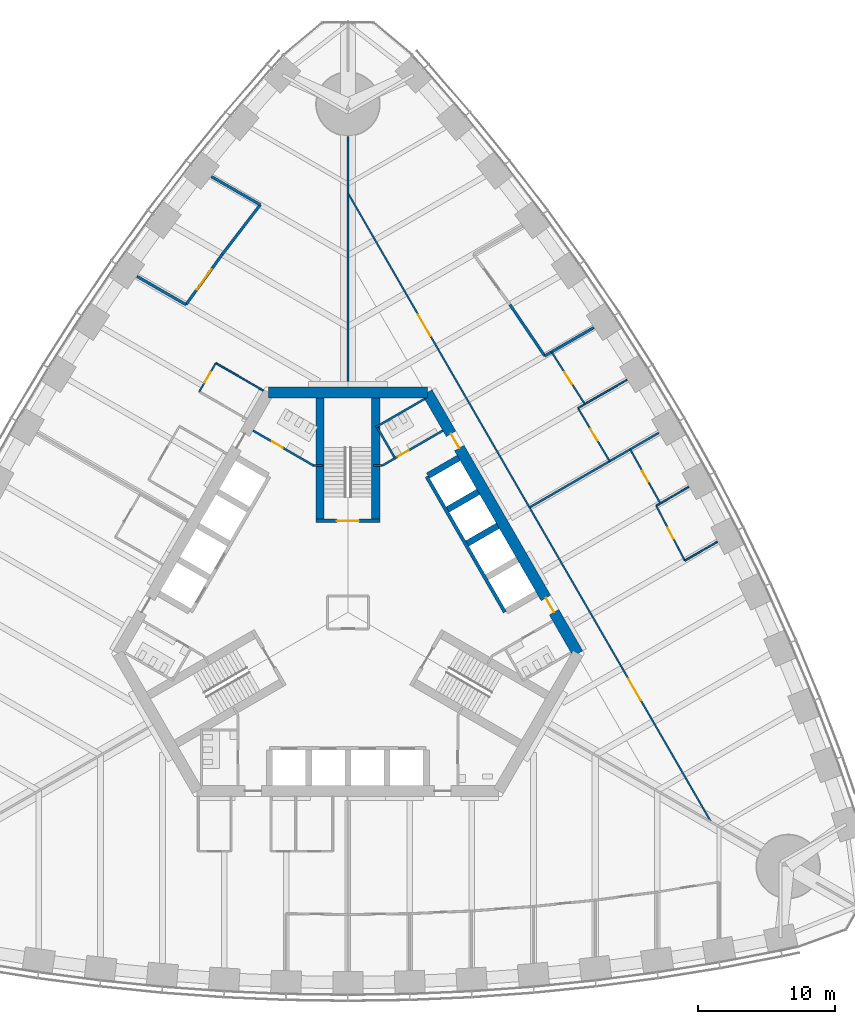
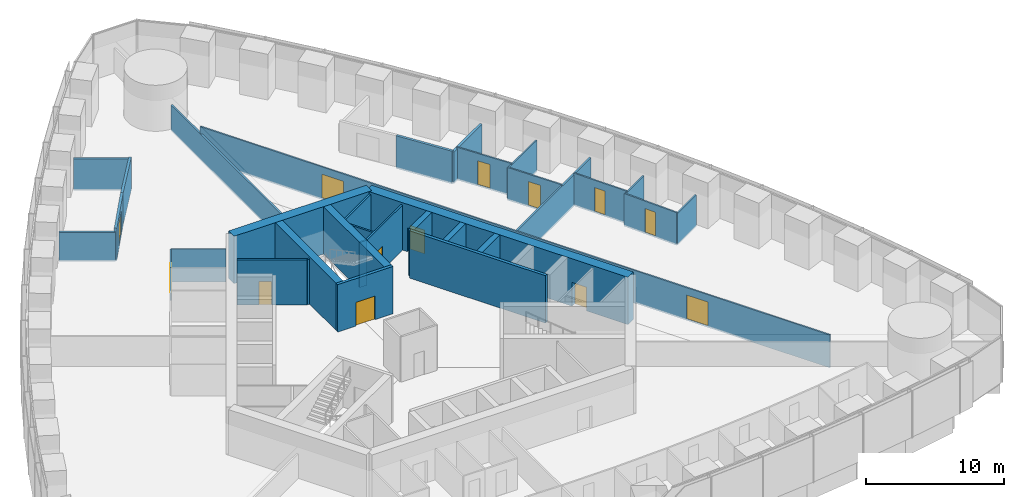
# One storey, part 12 of 18: 33 walls, 13 doors, 13 openings.
"""IFC4 building model written with IfcOpenShell, lengths in metres."""

from ifc_helpers import new_model, si_unit, direction, frame, frame_2d, origin, place, context, subcontext, project, spatial, rectangle, extrude, material, layer, layer_set, type_object, element, fill, save


model = new_model("IFC4")

# Units and contexts
model_context = context("Model", 3, precision=1e-05, world=origin(), true_north=direction((0.0, 1.0)))
body_context = subcontext(model_context, "Body", "Model", "MODEL_VIEW")
ifc_project = project(units=[si_unit("LENGTHUNIT", "METRE"), si_unit("AREAUNIT", "SQUARE_METRE"), si_unit("VOLUMEUNIT", "CUBIC_METRE"), si_unit("PLANEANGLEUNIT", "RADIAN"), si_unit("MASSUNIT", "GRAM", prefix="KILO")], contexts=[model_context])

# Site, building, storey
site_placement = place(None, origin())
site = spatial("IfcSite", under=ifc_project, at=site_placement, CompositionType="ELEMENT")
building_placement = place(site_placement, origin())
building = spatial("IfcBuilding", under=site, at=building_placement, Name="Trefoil Bronze Tower", CompositionType="ELEMENT")
storey_placement = place(building_placement, frame((0.0, 0.0, 66.89990234375)))
storey = spatial("IfcBuildingStorey", under=building, at=storey_placement, Name="L15", CompositionType="ELEMENT", Elevation=66.89990234375)

# Walls
ifc_material_1 = material(Name="Gypsum board on steel studs", Category="steel")
ifc_layer_1 = layer(ifc_material_1, 0.199951171875)
ifc_layer_set_1 = layer_set([ifc_layer_1], Name="Acoustic partition 200")
wall_type_1 = type_object("IfcWallType", Name="Acoustic partition 200", PredefinedType="PARTITIONING", material=ifc_layer_set_1)
wall_1_placement = place(storey_placement, frame((14.3251953125, 18.662841796875, 0.0), z_axis=(0.0, 0.0, 1.0), x_axis=(-0.561512004239, 0.827468591002, 0.0)))
element("IfcWall", 1, at=wall_1_placement, inside=storey, type_object=wall_type_1, Name="Partition F2 L15", PredefinedType="PARTITIONING", context=body_context, shape_type="SweptSolid", body=[
    extrude(rectangle(XDim=4.51171875, YDim=0.199951171875, at=frame_2d((2.255859375, 0.0))), origin(), (0.0, 0.0, 1.0), 2.900146484375),
])
wall_2_placement = place(storey_placement, frame((14.3251953125, 18.662841796875, 0.0), z_axis=(0.0, 0.0, 1.0), x_axis=(0.866030556495, 0.499991075137, 0.0)))
element("IfcWall", 2, at=wall_2_placement, inside=storey, type_object=wall_type_1, Name="Partition F2 L15", PredefinedType="PARTITIONING", context=body_context, shape_type="SweptSolid", body=[
    extrude(rectangle(XDim=4.1171875, YDim=0.199951171875, at=frame_2d((2.05859375, 0.0))), origin(), (0.0, 0.0, 1.0), 2.800048828125),
])

# Wall, opening, door
wall_3_placement = place(storey_placement, frame((-9.143798828125, 26.063720703125, 0.0), z_axis=(0.0, 0.0, 1.0), x_axis=(-0.585376255171, -0.810761765183, 0.0)))
wall_3 = element("IfcWall", 3, at=wall_3_placement, inside=storey, type_object=wall_type_1, Name="Partition F3 L15", PredefinedType="PARTITIONING", context=body_context, shape_type="SweptSolid", body=[
    extrude(rectangle(XDim=4.5234375, YDim=0.199951171875, at=frame_2d((2.26171875, 0.0))), origin(), (0.0, 0.0, 1.0), 2.900146484375),
])
opening_1_placement = place(wall_3_placement, frame((1.35009765625, 0.0, 0.14990234375)))
opening_1 = element("IfcOpeningElement", 4, at=opening_1_placement, cuts=wall_3, Name="Opening D10", PredefinedType="OPENING", context=body_context, shape_type="SweptSolid", body=[
    extrude(rectangle(XDim=1.800048828125, YDim=2.10009765625, at=frame_2d((0.89990234375, 1.050048828125))), frame((0.0, 0.10986328125, 0.0), z_axis=(0.0, -1.0, 0.0), x_axis=(1.0, 0.0, 0.0)), (0.0, 0.0, 1.0), 0.219970703125),
])
ifc_material_2 = material(Name="Timber door", Category="wood")
door_type_1 = type_object("IfcDoorType", Name="Double door 1800", OperationType="DOUBLE_DOOR_SINGLE_SWING", PredefinedType="DOOR", material=ifc_material_2)
door_1_placement = place(opening_1_placement, frame((1.800048828125, 0.0, 0.0), z_axis=(0.0, 0.0, 1.0), x_axis=(-1.0, 0.0, 0.0)))
door_1 = element("IfcDoor", 5, at=door_1_placement, inside=storey, type_object=door_type_1, Name="Training room door F3 L15", OperationType="DOUBLE_DOOR_SINGLE_SWING", OverallHeight=2.10009765625, OverallWidth=1.800048828125, PredefinedType="DOOR", context=body_context, shape_type="SweptSolid", body=[
    extrude(rectangle(XDim=1.800048828125, YDim=2.10009765625, at=frame_2d((0.89990234375, 1.050048828125))), frame((0.0, 0.02490234375, 0.0), z_axis=(0.0, -1.0, 0.0), x_axis=(1.0, 0.0, 0.0)), (0.0, 0.0, 1.0), 0.050048828125),
])
fill(opening_1, door_1)

# Walls
wall_4_placement = place(storey_placement, frame((-6.38037109375, 29.66455078125, 0.0), z_axis=(0.0, 0.0, 1.0), x_axis=(-0.608818785139, -0.79330932609, 0.0)))
element("IfcWall", 6, at=wall_4_placement, inside=storey, type_object=wall_type_1, Name="Partition F3 L15", PredefinedType="PARTITIONING", context=body_context, shape_type="SweptSolid", body=[
    extrude(rectangle(XDim=4.5390625, YDim=0.199951171875, at=frame_2d((2.26953125, 0.0))), origin(), (0.0, 0.0, 1.0), 2.900146484375),
])
wall_5_placement = place(storey_placement, frame((-11.791748046875, 22.396240234375, 0.0), z_axis=(0.0, 0.0, 1.0), x_axis=(-0.865991869213, 0.500058079084, 0.0)))
element("IfcWall", 7, at=wall_5_placement, inside=storey, type_object=wall_type_1, Name="Partition F3 L15", PredefinedType="PARTITIONING", context=body_context, shape_type="SweptSolid", body=[
    extrude(rectangle(XDim=4.11376953125, YDim=0.199951171875, at=frame_2d((2.056884765625, 0.0))), origin(), (0.0, 0.0, 1.0), 2.60009765625),
])
wall_6_placement = place(storey_placement, frame((-6.38037109375, 29.66455078125, 0.0), z_axis=(0.0, 0.0, 1.0), x_axis=(-0.866044878051, 0.499966268063, 0.0)))
element("IfcWall", 8, at=wall_6_placement, inside=storey, type_object=wall_type_1, Name="Partition F3 L15", PredefinedType="PARTITIONING", context=body_context, shape_type="SweptSolid", body=[
    extrude(rectangle(XDim=4.102783203125, YDim=0.199951171875, at=frame_2d((2.05126953125, 0.0))), origin(), (0.0, 0.0, 1.0), 2.800048828125),
])

# Wall, openings, doors
ifc_material_3 = material(Name="Concrete B80", Category="concrete")
ifc_layer_2 = layer(ifc_material_3, 0.800048828125)
ifc_layer_set_2 = layer_set([ifc_layer_2], Name="Core wall 800")
wall_type_2 = type_object("IfcWallType", Name="Core wall 800", PredefinedType="SHEAR", material=ifc_layer_set_2)
wall_7_placement = place(storey_placement, frame((16.7431640625, -3.0, 0.0), z_axis=(0.0, 0.0, 1.0), x_axis=(-0.500002442456, 0.866023993627, 0.0)))
wall_7 = element("IfcWall", 9, at=wall_7_placement, inside=storey, type_object=wall_type_2, Name="Core long wall 2 L15", PredefinedType="SHEAR", context=body_context, shape_type="SweptSolid", body=[
    extrude(rectangle(XDim=21.939453125, YDim=0.800048828125, at=frame_2d((10.9697265625, 0.0))), origin(), (0.0, 0.0, 1.0), 4.2001953125),
])
opening_2_placement = place(wall_7_placement, frame((17.269775390625, 0.0, 0.0)))
opening_2 = element("IfcOpeningElement", 10, at=opening_2_placement, cuts=wall_7, Name="Opening D2", PredefinedType="OPENING", context=body_context, shape_type="SweptSolid", body=[
    extrude(rectangle(XDim=1.199951171875, YDim=2.10009765625, at=frame_2d((0.60009765625, 1.050048828125))), frame((0.0, 0.409912109375, 0.0), z_axis=(0.0, -1.0, 0.0), x_axis=(1.0, 0.0, 0.0)), (0.0, 0.0, 1.0), 0.820068359375),
])
opening_3_placement = place(wall_7_placement, frame((3.4697265625, 0.0, 0.0)))
opening_3 = element("IfcOpeningElement", 11, at=opening_3_placement, cuts=wall_7, Name="Opening D2", PredefinedType="OPENING", context=body_context, shape_type="SweptSolid", body=[
    extrude(rectangle(XDim=1.199951171875, YDim=2.10009765625, at=frame_2d((0.60009765625, 1.050048828125))), frame((0.0, 0.409912109375, 0.0), z_axis=(0.0, -1.0, 0.0), x_axis=(1.0, 0.0, 0.0)), (0.0, 0.0, 1.0), 0.820068359375),
])
ifc_material_4 = material(Name="Steel door", Category="steel")
door_type_2 = type_object("IfcDoorType", Name="Lobby door 1200", OperationType="SINGLE_SWING_RIGHT", PredefinedType="DOOR", material=ifc_material_4)
door_2_placement = place(opening_2_placement, origin())
door_2 = element("IfcDoor", 12, at=door_2_placement, inside=storey, type_object=door_type_2, Name="Lobby door F2+ L15", OperationType="SINGLE_SWING_RIGHT", OverallHeight=2.10009765625, OverallWidth=1.199951171875, PredefinedType="DOOR", context=body_context, shape_type="SweptSolid", body=[
    extrude(rectangle(XDim=1.199951171875, YDim=2.10009765625, at=frame_2d((0.60009765625, 1.050048828125))), frame((0.0, 0.02490234375, 0.0), z_axis=(0.0, -1.0, 0.0), x_axis=(1.0, 0.0, 0.0)), (0.0, 0.0, 1.0), 0.050048828125),
])
fill(opening_2, door_2)
door_3_placement = place(opening_3_placement, origin())
door_3 = element("IfcDoor", 13, at=door_3_placement, inside=storey, type_object=door_type_2, Name="Lobby door F2- L15", OperationType="SINGLE_SWING_LEFT", OverallHeight=2.10009765625, OverallWidth=1.199951171875, PredefinedType="DOOR", context=body_context, shape_type="SweptSolid", body=[
    extrude(rectangle(XDim=1.199951171875, YDim=2.10009765625, at=frame_2d((0.60009765625, 1.050048828125))), frame((0.0, 0.02490234375, 0.0), z_axis=(0.0, -1.0, 0.0), x_axis=(1.0, 0.0, 0.0)), (0.0, 0.0, 1.0), 0.050048828125),
])
fill(opening_3, door_3)

# Wall
wall_8_placement = place(storey_placement, frame((5.7734375, 16.0, 0.0), z_axis=(0.0, 0.0, 1.0), x_axis=(-1.0, 0.0, 0.0)))
element("IfcWall", 14, at=wall_8_placement, inside=storey, type_object=wall_type_2, Name="Core short wall 2 L15", PredefinedType="SHEAR", context=body_context, shape_type="SweptSolid", body=[
    extrude(rectangle(XDim=11.546875, YDim=0.800048828125, at=frame_2d((5.7734375, 0.0))), origin(), (0.0, 0.0, 1.0), 4.2001953125),
])

# Wall, openings, doors
ifc_material_5 = material(Name="Glazed partition", Category="glass")
ifc_layer_3 = layer(ifc_material_5, 0.1201171875)
ifc_layer_set_3 = layer_set([ifc_layer_3], Name="Glazed partition 120")
wall_type_3 = type_object("IfcWallType", Name="Glazed partition 120", PredefinedType="PARTITIONING", material=ifc_layer_set_3)
wall_9_placement = place(storey_placement, frame((26.41455078125, -15.2314453125, 0.0), z_axis=(0.0, 0.0, 1.0), x_axis=(-0.50000091641, 0.866024874695, 0.0)))
wall_9 = element("IfcWall", 15, at=wall_9_placement, inside=storey, type_object=wall_type_3, Name="Partition F2 L15", PredefinedType="PARTITIONING", context=body_context, shape_type="SweptSolid", body=[
    extrude(rectangle(XDim=52.79638671875, YDim=0.1201171875, at=frame_2d((26.398193359375, 0.0))), origin(), (0.0, 0.0, 1.0), 2.900146484375),
])
opening_4_placement = place(wall_9_placement, frame((10.199951171875, 0.0, 0.14990234375)))
opening_4 = element("IfcOpeningElement", 16, at=opening_4_placement, cuts=wall_9, Name="Opening D10", PredefinedType="OPENING", context=body_context, shape_type="SweptSolid", body=[
    extrude(rectangle(XDim=1.800048828125, YDim=2.10009765625, at=frame_2d((0.89990234375, 1.050048828125))), frame((0.0, 0.070068359375, 0.0), z_axis=(0.0, -1.0, 0.0), x_axis=(1.0, 0.0, 0.0)), (0.0, 0.0, 1.0), 0.14013671875),
])
opening_5_placement = place(wall_9_placement, frame((40.800048828125, 0.0, 0.14990234375)))
opening_5 = element("IfcOpeningElement", 17, at=opening_5_placement, cuts=wall_9, Name="Opening D10", PredefinedType="OPENING", context=body_context, shape_type="SweptSolid", body=[
    extrude(rectangle(XDim=1.800048828125, YDim=2.10009765625, at=frame_2d((0.89990234375, 1.050048828125))), frame((0.0, 0.070068359375, 0.0), z_axis=(0.0, -1.0, 0.0), x_axis=(1.0, 0.0, 0.0)), (0.0, 0.0, 1.0), 0.14013671875),
])
door_4_placement = place(opening_4_placement, origin())
door_4 = element("IfcDoor", 18, at=door_4_placement, inside=storey, type_object=door_type_1, Name="Corridor door F2 L15", OperationType="DOUBLE_DOOR_SINGLE_SWING", OverallHeight=2.10009765625, OverallWidth=1.800048828125, PredefinedType="DOOR", context=body_context, shape_type="SweptSolid", body=[
    extrude(rectangle(XDim=1.800048828125, YDim=2.10009765625, at=frame_2d((0.89990234375, 1.050048828125))), frame((0.0, 0.02490234375, 0.0), z_axis=(0.0, -1.0, 0.0), x_axis=(1.0, 0.0, 0.0)), (0.0, 0.0, 1.0), 0.050048828125),
])
fill(opening_4, door_4)
door_5_placement = place(opening_5_placement, origin())
door_5 = element("IfcDoor", 19, at=door_5_placement, inside=storey, type_object=door_type_1, Name="Corridor door F2 L15", OperationType="DOUBLE_DOOR_SINGLE_SWING", OverallHeight=2.10009765625, OverallWidth=1.800048828125, PredefinedType="DOOR", context=body_context, shape_type="SweptSolid", body=[
    extrude(rectangle(XDim=1.800048828125, YDim=2.10009765625, at=frame_2d((0.89990234375, 1.050048828125))), frame((0.0, 0.02490234375, 0.0), z_axis=(0.0, -1.0, 0.0), x_axis=(1.0, 0.0, 0.0)), (0.0, 0.0, 1.0), 0.050048828125),
])
fill(opening_5, door_5)

# Wall, opening, door
wall_10_placement = place(storey_placement, frame((19.051513671875, 10.999267578125, 0.0), z_axis=(0.0, 0.0, 1.0), x_axis=(-0.51252396108, 0.858672923364, 0.0)))
wall_10 = element("IfcWall", 20, at=wall_10_placement, inside=storey, type_object=wall_type_3, Name="Partition F2 L15", PredefinedType="PARTITIONING", context=body_context, shape_type="SweptSolid", body=[
    extrude(rectangle(XDim=4.50048828125, YDim=0.1201171875, at=frame_2d((2.250244140625, 0.0))), origin(), (0.0, 0.0, 1.0), 2.900146484375),
])
opening_6_placement = place(wall_10_placement, frame((1.75, 0.0, 0.14990234375)))
opening_6 = element("IfcOpeningElement", 21, at=opening_6_placement, cuts=wall_10, Name="Opening D9", PredefinedType="OPENING", context=body_context, shape_type="SweptSolid", body=[
    extrude(rectangle(XDim=1.0, YDim=2.10009765625, at=frame_2d((0.5, 1.050048828125))), frame((0.0, 0.070068359375, 0.0), z_axis=(0.0, -1.0, 0.0), x_axis=(1.0, 0.0, 0.0)), (0.0, 0.0, 1.0), 0.14013671875),
])
ifc_material_6 = material(Name="Glazed timber door", Category="wood")
door_type_3 = type_object("IfcDoorType", Name="Meeting room door 1000", OperationType="SINGLE_SWING_LEFT", PredefinedType="DOOR", material=ifc_material_6)
door_6_placement = place(opening_6_placement, frame((1.0, 0.0, 0.0), z_axis=(0.0, 0.0, 1.0), x_axis=(-1.0, 0.0, 0.0)))
door_6 = element("IfcDoor", 22, at=door_6_placement, inside=storey, type_object=door_type_3, Name="Meeting room door F2 L15", OperationType="SINGLE_SWING_RIGHT", OverallHeight=2.10009765625, OverallWidth=1.0, PredefinedType="DOOR", context=body_context, shape_type="SweptSolid", body=[
    extrude(rectangle(XDim=1.0, YDim=2.10009765625, at=frame_2d((0.5, 1.050048828125))), frame((0.0, 0.02490234375, 0.0), z_axis=(0.0, -1.0, 0.0), x_axis=(1.0, 0.0, 0.0)), (0.0, 0.0, 1.0), 0.050048828125),
])
fill(opening_6, door_6)

wall_11_placement = place(storey_placement, frame((17.242919921875, 15.1513671875, 0.0), z_axis=(0.0, 0.0, 1.0), x_axis=(-0.537243691336, 0.843427066272, 0.0)))
wall_11 = element("IfcWall", 23, at=wall_11_placement, inside=storey, type_object=wall_type_3, Name="Partition F2 L15", PredefinedType="PARTITIONING", context=body_context, shape_type="SweptSolid", body=[
    extrude(rectangle(XDim=4.50439453125, YDim=0.1201171875, at=frame_2d((2.252197265625, 0.0))), origin(), (0.0, 0.0, 1.0), 2.900146484375),
])
opening_7_placement = place(wall_11_placement, frame((1.75, 0.0, 0.14990234375)))
opening_7 = element("IfcOpeningElement", 24, at=opening_7_placement, cuts=wall_11, Name="Opening D9", PredefinedType="OPENING", context=body_context, shape_type="SweptSolid", body=[
    extrude(rectangle(XDim=1.0, YDim=2.10009765625, at=frame_2d((0.5, 1.050048828125))), frame((0.0, 0.070068359375, 0.0), z_axis=(0.0, -1.0, 0.0), x_axis=(1.0, 0.0, 0.0)), (0.0, 0.0, 1.0), 0.14013671875),
])
door_7_placement = place(opening_7_placement, frame((1.0, 0.0, 0.0), z_axis=(0.0, 0.0, 1.0), x_axis=(-1.0, 0.0, 0.0)))
door_7 = element("IfcDoor", 25, at=door_7_placement, inside=storey, type_object=door_type_3, Name="Project room door F2 L15", OperationType="SINGLE_SWING_RIGHT", OverallHeight=2.10009765625, OverallWidth=1.0, PredefinedType="DOOR", context=body_context, shape_type="SweptSolid", body=[
    extrude(rectangle(XDim=1.0, YDim=2.10009765625, at=frame_2d((0.5, 1.050048828125))), frame((0.0, 0.02490234375, 0.0), z_axis=(0.0, -1.0, 0.0), x_axis=(1.0, 0.0, 0.0)), (0.0, 0.0, 1.0), 0.050048828125),
])
fill(opening_7, door_7)

wall_12_placement = place(storey_placement, frame((22.73876953125, 7.93212890625, 0.0), z_axis=(0.0, 0.0, 1.0), x_axis=(-0.487373854787, 0.873193406795, 0.0)))
wall_12 = element("IfcWall", 26, at=wall_12_placement, inside=storey, type_object=wall_type_3, Name="Partition F2 L15", PredefinedType="PARTITIONING", context=body_context, shape_type="SweptSolid", body=[
    extrude(rectangle(XDim=4.500244140625, YDim=0.1201171875, at=frame_2d((2.25, 0.0))), origin(), (0.0, 0.0, 1.0), 2.900146484375),
])
opening_8_placement = place(wall_12_placement, frame((1.800048828125, 0.0, 0.14990234375)))
opening_8 = element("IfcOpeningElement", 27, at=opening_8_placement, cuts=wall_12, Name="Opening D8", PredefinedType="OPENING", context=body_context, shape_type="SweptSolid", body=[
    extrude(rectangle(XDim=0.89990234375, YDim=2.10009765625, at=frame_2d((0.449951171875, 1.050048828125))), frame((0.0, 0.070068359375, 0.0), z_axis=(0.0, -1.0, 0.0), x_axis=(1.0, 0.0, 0.0)), (0.0, 0.0, 1.0), 0.14013671875),
])
ifc_material_7 = material(Name="Timber door", Category="wood")
door_type_4 = type_object("IfcDoorType", Name="Office door 900", OperationType="SINGLE_SWING_LEFT", PredefinedType="DOOR", material=ifc_material_7)
door_8_placement = place(opening_8_placement, frame((0.89990234375, 0.0, 0.0), z_axis=(0.0, 0.0, 1.0), x_axis=(-1.0, 0.0, 0.0)))
door_8 = element("IfcDoor", 28, at=door_8_placement, inside=storey, type_object=door_type_4, Name="Focus room door F2 L15", OperationType="SINGLE_SWING_RIGHT", OverallHeight=2.10009765625, OverallWidth=0.89990234375, PredefinedType="DOOR", context=body_context, shape_type="SweptSolid", body=[
    extrude(rectangle(XDim=0.89990234375, YDim=2.10009765625, at=frame_2d((0.449951171875, 1.050048828125))), frame((0.0, 0.02490234375, 0.0), z_axis=(0.0, -1.0, 0.0), x_axis=(1.0, 0.0, 0.0)), (0.0, 0.0, 1.0), 0.050048828125),
])
fill(opening_8, door_8)

wall_13_placement = place(storey_placement, frame((24.520263671875, 3.764404296875, 0.0), z_axis=(0.0, 0.0, 1.0), x_axis=(-0.461852697957, 0.886956642339, 0.0)))
wall_13 = element("IfcWall", 29, at=wall_13_placement, inside=storey, type_object=wall_type_3, Name="Partition F2 L15", PredefinedType="PARTITIONING", context=body_context, shape_type="SweptSolid", body=[
    extrude(rectangle(XDim=4.50439453125, YDim=0.1201171875, at=frame_2d((2.252197265625, 0.0))), origin(), (0.0, 0.0, 1.0), 2.900146484375),
])
opening_9_placement = place(wall_13_placement, frame((1.800048828125, 0.0, 0.14990234375)))
opening_9 = element("IfcOpeningElement", 30, at=opening_9_placement, cuts=wall_13, Name="Opening D8", PredefinedType="OPENING", context=body_context, shape_type="SweptSolid", body=[
    extrude(rectangle(XDim=0.89990234375, YDim=2.10009765625, at=frame_2d((0.449951171875, 1.050048828125))), frame((0.0, 0.070068359375, 0.0), z_axis=(0.0, -1.0, 0.0), x_axis=(1.0, 0.0, 0.0)), (0.0, 0.0, 1.0), 0.14013671875),
])
door_9_placement = place(opening_9_placement, frame((0.89990234375, 0.0, 0.0), z_axis=(0.0, 0.0, 1.0), x_axis=(-1.0, 0.0, 0.0)))
door_9 = element("IfcDoor", 31, at=door_9_placement, inside=storey, type_object=door_type_4, Name="Pantry door F2 L15", OperationType="SINGLE_SWING_RIGHT", OverallHeight=2.10009765625, OverallWidth=0.89990234375, PredefinedType="DOOR", context=body_context, shape_type="SweptSolid", body=[
    extrude(rectangle(XDim=0.89990234375, YDim=2.10009765625, at=frame_2d((0.449951171875, 1.050048828125))), frame((0.0, 0.02490234375, 0.0), z_axis=(0.0, -1.0, 0.0), x_axis=(1.0, 0.0, 0.0)), (0.0, 0.0, 1.0), 0.050048828125),
])
fill(opening_9, door_9)

# Walls
wall_14_placement = place(storey_placement, frame((16.744873046875, 14.86376953125, 0.0), z_axis=(0.0, 0.0, 1.0), x_axis=(0.8660059538, 0.500033686847, 0.0)))
element("IfcWall", 32, at=wall_14_placement, inside=storey, type_object=wall_type_3, Name="Partition F2 L15", PredefinedType="PARTITIONING", context=body_context, shape_type="SweptSolid", body=[
    extrude(rectangle(XDim=4.119384765625, YDim=0.1201171875, at=frame_2d((2.0595703125, 0.0))), origin(), (0.0, 0.0, 1.0), 2.800048828125),
])
wall_15_placement = place(storey_placement, frame((22.43994140625, 7.759521484375, 0.0), z_axis=(0.0, 0.0, 1.0), x_axis=(0.866029747927, 0.499992475648, 0.0)))
element("IfcWall", 33, at=wall_15_placement, inside=storey, type_object=wall_type_3, Name="Partition F2 L15", PredefinedType="PARTITIONING", context=body_context, shape_type="SweptSolid", body=[
    extrude(rectangle(XDim=2.7392578125, YDim=0.1201171875, at=frame_2d((1.36962890625, 0.0))), origin(), (0.0, 0.0, 1.0), 2.800048828125),
])
wall_16_placement = place(storey_placement, frame((24.520263671875, 3.764404296875, 0.0), z_axis=(0.0, 0.0, 1.0), x_axis=(0.866028150195, 0.499995243048, 0.0)))
element("IfcWall", 34, at=wall_16_placement, inside=storey, type_object=wall_type_3, Name="Partition F2 L15", PredefinedType="PARTITIONING", context=body_context, shape_type="SweptSolid", body=[
    extrude(rectangle(XDim=2.7373046875, YDim=0.1201171875, at=frame_2d((1.36865234375, 0.0))), origin(), (0.0, 0.0, 1.0), 2.800048828125),
])

# Wall, opening, door
wall_17_placement = place(storey_placement, frame((-9.618896484375, 18.1396484375, 0.0), z_axis=(0.0, 0.0, 1.0), x_axis=(-0.500001309137, -0.866024647952, 0.0)))
wall_17 = element("IfcWall", 35, at=wall_17_placement, inside=storey, type_object=wall_type_3, Name="Partition F3 L15", PredefinedType="PARTITIONING", context=body_context, shape_type="SweptSolid", body=[
    extrude(rectangle(XDim=2.39990234375, YDim=0.1201171875, at=frame_2d((1.199951171875, 0.0))), origin(), (0.0, 0.0, 1.0), 2.900146484375),
])
opening_10_placement = place(wall_17_placement, frame((0.75, 0.0, 0.14990234375)))
opening_10 = element("IfcOpeningElement", 36, at=opening_10_placement, cuts=wall_17, Name="Opening D8", PredefinedType="OPENING", context=body_context, shape_type="SweptSolid", body=[
    extrude(rectangle(XDim=0.89990234375, YDim=2.10009765625, at=frame_2d((0.449951171875, 1.050048828125))), frame((0.0, 0.070068359375, 0.0), z_axis=(0.0, -1.0, 0.0), x_axis=(1.0, 0.0, 0.0)), (0.0, 0.0, 1.0), 0.14013671875),
])
door_10_placement = place(opening_10_placement, origin())
door_10 = element("IfcDoor", 37, at=door_10_placement, inside=storey, type_object=door_type_4, Name="Store door F3 L15", OperationType="SINGLE_SWING_RIGHT", OverallHeight=2.10009765625, OverallWidth=0.89990234375, PredefinedType="DOOR", context=body_context, shape_type="SweptSolid", body=[
    extrude(rectangle(XDim=0.89990234375, YDim=2.10009765625, at=frame_2d((0.449951171875, 1.050048828125))), frame((0.0, 0.02490234375, 0.0), z_axis=(0.0, -1.0, 0.0), x_axis=(1.0, 0.0, 0.0)), (0.0, 0.0, 1.0), 0.050048828125),
])
fill(opening_10, door_10)

# Walls
wall_18_placement = place(storey_placement, frame((-6.15478515625, 16.1396484375, 0.0), z_axis=(0.0, 0.0, 1.0), x_axis=(-0.866026010844, 0.49999894854, 0.0)))
element("IfcWall", 38, at=wall_18_placement, inside=storey, type_object=wall_type_3, Name="Partition F3 L15", PredefinedType="PARTITIONING", context=body_context, shape_type="SweptSolid", body=[
    extrude(rectangle(XDim=4.0, YDim=0.1201171875, at=frame_2d((2.0, 0.0))), origin(), (0.0, 0.0, 1.0), 2.900146484375),
])
ifc_material_8 = material(Name="Concrete B80", Category="concrete")
ifc_layer_4 = layer(ifc_material_8, 0.449951171875)
ifc_layer_set_4 = layer_set([ifc_layer_4], Name="Outrigger shaft wall 450")
wall_type_4 = type_object("IfcWallType", Name="Outrigger shaft wall 450", PredefinedType="SHEAR", material=ifc_layer_set_4)
for number, where, z_axis, x_axis, name in (
    (39, (8.681884765625, 5.012451171875, 0.0), (0.0, 0.0, 1.0), (0.866005588531, 0.500034319456, 0.0), "Lift shaft side wall B2 L15"),
    (40, (7.2568359375, 7.480712890625, 0.0), (0.0, 0.0, 1.0), (0.866046643894, 0.499963209246, 0.0), "Lift shaft side wall B3 L15"),
):
    element("IfcWall", number, at=place(storey_placement, frame(where, z_axis=z_axis, x_axis=x_axis)), inside=storey, type_object=wall_type_4, Name=name, PredefinedType="SHEAR", context=body_context, shape_type="SweptSolid", body=[
        extrude(rectangle(XDim=2.574951171875, YDim=0.449951171875, at=frame_2d((1.28759765625, 0.0))), origin(), (0.0, 0.0, 1.0), 4.2001953125),
    ])
wall_19_placement = place(storey_placement, frame((5.831787109375, 9.94873046875, 0.0), z_axis=(0.0, 0.0, 1.0), x_axis=(0.866029291668, 0.499993265928, 0.0)))
element("IfcWall", 41, at=wall_19_placement, inside=storey, type_object=wall_type_4, Name="Lift shaft side wall B4 L15", PredefinedType="SHEAR", context=body_context, shape_type="SweptSolid", body=[
    extrude(rectangle(XDim=2.5751953125, YDim=0.449951171875, at=frame_2d((1.28759765625, 0.0))), origin(), (0.0, 0.0, 1.0), 4.2001953125),
])

# Wall, opening, door
ifc_material_9 = material(Name="Gypsum board on steel studs", Category="steel")
ifc_layer_5 = layer(ifc_material_9, 0.14990234375)
ifc_layer_set_5 = layer_set([ifc_layer_5], Name="Partition 150")
wall_type_5 = type_object("IfcWallType", Name="Partition 150", PredefinedType="PARTITIONING", material=ifc_layer_set_5)
wall_20_placement = place(storey_placement, frame((2.4951171875, 10.67822265625, 0.0), z_axis=(0.0, 0.0, 1.0), x_axis=(0.86602216432, 0.500005610874, 0.0)))
wall_20 = element("IfcWall", 42, at=wall_20_placement, inside=storey, type_object=wall_type_5, Name="Passage wall F2+ L15", PredefinedType="PARTITIONING", context=body_context, shape_type="SweptSolid", body=[
    extrude(rectangle(XDim=5.10009765625, YDim=0.14990234375, at=frame_2d((2.550048828125, 0.0))), origin(), (0.0, 0.0, 1.0), 4.0),
])
opening_11_placement = place(wall_20_placement, frame((1.300048828125, 0.0, 0.0)))
opening_11 = element("IfcOpeningElement", 43, at=opening_11_placement, cuts=wall_20, Name="Opening D3", PredefinedType="OPENING", context=body_context, shape_type="SweptSolid", body=[
    extrude(rectangle(XDim=0.89990234375, YDim=2.10009765625, at=frame_2d((0.449951171875, 1.050048828125))), frame((0.0, 0.0849609375, 0.0), z_axis=(0.0, -1.0, 0.0), x_axis=(1.0, 0.0, 0.0)), (0.0, 0.0, 1.0), 0.169921875),
])
ifc_material_10 = material(Name="Timber door", Category="wood")
door_type_5 = type_object("IfcDoorType", Name="WC door 900", OperationType="SINGLE_SWING_LEFT", PredefinedType="DOOR", material=ifc_material_10)
door_11_placement = place(opening_11_placement, origin())
door_11 = element("IfcDoor", 44, at=door_11_placement, inside=storey, type_object=door_type_5, Name="WC (men) door L15", OperationType="SINGLE_SWING_LEFT", OverallHeight=2.10009765625, OverallWidth=0.89990234375, PredefinedType="DOOR", context=body_context, shape_type="SweptSolid", body=[
    extrude(rectangle(XDim=0.89990234375, YDim=2.10009765625, at=frame_2d((0.449951171875, 1.050048828125))), frame((0.0, 0.02490234375, 0.0), z_axis=(0.0, -1.0, 0.0), x_axis=(1.0, 0.0, 0.0)), (0.0, 0.0, 1.0), 0.050048828125),
])
fill(opening_11, door_11)

wall_21_placement = place(storey_placement, frame((-2.4951171875, 10.67822265625, 0.0), z_axis=(0.0, 0.0, 1.0), x_axis=(-0.86602216432, 0.500005610874, 0.0)))
wall_21 = element("IfcWall", 45, at=wall_21_placement, inside=storey, type_object=wall_type_5, Name="Passage wall F3- L15", PredefinedType="PARTITIONING", context=body_context, shape_type="SweptSolid", body=[
    extrude(rectangle(XDim=5.10009765625, YDim=0.14990234375, at=frame_2d((2.550048828125, 0.0))), origin(), (0.0, 0.0, 1.0), 4.0),
])
opening_12_placement = place(wall_21_placement, frame((2.60009765625, 0.0, 0.0)))
opening_12 = element("IfcOpeningElement", 46, at=opening_12_placement, cuts=wall_21, Name="Opening D3", PredefinedType="OPENING", context=body_context, shape_type="SweptSolid", body=[
    extrude(rectangle(XDim=0.89990234375, YDim=2.10009765625, at=frame_2d((0.449951171875, 1.050048828125))), frame((0.0, 0.0849609375, 0.0), z_axis=(0.0, -1.0, 0.0), x_axis=(1.0, 0.0, 0.0)), (0.0, 0.0, 1.0), 0.169921875),
])
door_12_placement = place(opening_12_placement, frame((0.89990234375, 0.0, 0.0), z_axis=(0.0, 0.0, 1.0), x_axis=(-1.0, 0.0, 0.0)))
door_12 = element("IfcDoor", 47, at=door_12_placement, inside=storey, type_object=door_type_5, Name="WC (women) door L15", OperationType="SINGLE_SWING_LEFT", OverallHeight=2.10009765625, OverallWidth=0.89990234375, PredefinedType="DOOR", context=body_context, shape_type="SweptSolid", body=[
    extrude(rectangle(XDim=0.89990234375, YDim=2.10009765625, at=frame_2d((0.449951171875, 1.050048828125))), frame((0.0, 0.02490234375, 0.0), z_axis=(0.0, -1.0, 0.0), x_axis=(1.0, 0.0, 0.0)), (0.0, 0.0, 1.0), 0.050048828125),
])
fill(opening_12, door_12)

# Walls
for number, where, z_axis, x_axis, name in (
    (48, (2.4951171875, 10.67822265625, 0.0), (0.0, 0.0, 1.0), (-1.0, 0.0, 0.0), "WC wall ST2-1 L15"),
    (49, (-2.4951171875, 10.67822265625, 0.0), (0.0, 0.0, 1.0), (1.0, 0.0, 0.0), "WC wall ST2+1 L15"),
):
    element("IfcWall", number, at=place(storey_placement, frame(where, z_axis=z_axis, x_axis=x_axis)), inside=storey, type_object=wall_type_5, Name=name, PredefinedType="PARTITIONING", context=body_context, shape_type="SweptSolid", body=[
        extrude(rectangle(XDim=0.64501953125, YDim=0.14990234375, at=frame_2d((0.322509765625, 0.0))), origin(), (0.0, 0.0, 1.0), 4.0),
    ])
wall_22_placement = place(storey_placement, frame((2.03125, 13.48193359375, 0.0), z_axis=(0.0, 0.0, 1.0), x_axis=(0.866050731258, 0.499956128963, 0.0)))
element("IfcWall", 50, at=wall_22_placement, inside=storey, type_object=wall_type_5, Name="WC partition WC (men) L15", PredefinedType="PARTITIONING", context=body_context, shape_type="SweptSolid", body=[
    extrude(rectangle(XDim=4.099853515625, YDim=0.14990234375, at=frame_2d((2.0498046875, 0.0))), origin(), (0.0, 0.0, 1.0), 4.0),
])
wall_23_placement = place(storey_placement, frame((3.388671875, 11.28076171875, 0.0), z_axis=(0.0, 0.0, 1.0), x_axis=(-0.499989096993, 0.866031698547, 0.0)))
element("IfcWall", 51, at=wall_23_placement, inside=storey, type_object=wall_type_5, Name="WC partition WC (men) L15", PredefinedType="PARTITIONING", context=body_context, shape_type="SweptSolid", body=[
    extrude(rectangle(XDim=2.509765625, YDim=0.14990234375, at=frame_2d((1.2548828125, 0.0))), origin(), (0.0, 0.0, 1.0), 4.0),
])
ifc_material_11 = material(Name="Gypsum board on steel studs", Category="steel")
ifc_layer_6 = layer(ifc_material_11, 0.14990234375)
ifc_layer_set_6 = layer_set([ifc_layer_6], Name="Party wall 150")
wall_type_6 = type_object("IfcWallType", Name="Party wall 150", PredefinedType="PARTITIONING", material=ifc_layer_set_6)
wall_24_placement = place(storey_placement, frame((0.0, 16.39990234375, 0.0), z_axis=(0.0, 0.0, 1.0), x_axis=(0.0, 1.0, 0.0)))
element("IfcWall", 52, at=wall_24_placement, inside=storey, type_object=wall_type_6, Name="Party wall K2 L15", PredefinedType="PARTITIONING", context=body_context, shape_type="SweptSolid", body=[
    extrude(rectangle(XDim=18.25, YDim=0.14990234375, at=frame_2d((9.125, 0.0))), origin(), (0.0, 0.0, 1.0), 2.300048828125),
])
wall_25_placement = place(storey_placement, frame((13.267578125, 7.659912109375, 0.0), z_axis=(0.0, 0.0, 1.0), x_axis=(0.866019550038, 0.50001013885, 0.0)))
element("IfcWall", 53, at=wall_25_placement, inside=storey, type_object=wall_type_6, Name="Demising wall F2 L15", PredefinedType="PARTITIONING", context=body_context, shape_type="SweptSolid", body=[
    extrude(rectangle(XDim=10.798583984375, YDim=0.14990234375, at=frame_2d((5.3994140625, 0.0))), origin(), (0.0, 0.0, 1.0), 2.800048828125),
])
ifc_material_12 = material(Name="Concrete B80", Category="concrete")
ifc_layer_7 = layer(ifc_material_12, 0.25)
ifc_layer_set_7 = layer_set([ifc_layer_7], Name="Shaft wall 250")
wall_type_7 = type_object("IfcWallType", Name="Shaft wall 250", PredefinedType="SHEAR", material=ifc_layer_set_7)
wall_26_placement = place(storey_placement, frame((11.423583984375, 0.013671875, 0.0), z_axis=(0.0, 0.0, 1.0), x_axis=(-0.500001763848, 0.866024385424, 0.0)))
element("IfcWall", 54, at=wall_26_placement, inside=storey, type_object=wall_type_7, Name="Lift shaft front wall B L15", PredefinedType="SHEAR", context=body_context, shape_type="SweptSolid", body=[
    extrude(rectangle(XDim=11.39990234375, YDim=0.25, at=frame_2d((5.699951171875, 0.0))), origin(), (0.0, 0.0, 1.0), 4.2001953125),
])

# Wall, opening, door
wall_27_placement = place(storey_placement, frame((2.324951171875, 6.64990234375, 0.0), z_axis=(0.0, 0.0, 1.0), x_axis=(-1.0, 0.0, 0.0)))
wall_27 = element("IfcWall", 55, at=wall_27_placement, inside=storey, type_object=wall_type_7, Name="Stair end wall ST2 L15", PredefinedType="SHEAR", context=body_context, shape_type="SweptSolid", body=[
    extrude(rectangle(XDim=4.64990234375, YDim=0.25, at=frame_2d((2.324951171875, 0.0))), origin(), (0.0, 0.0, 1.0), 4.2001953125),
])
opening_13_placement = place(wall_27_placement, frame((1.52490234375, 0.0, 0.0)))
opening_13 = element("IfcOpeningElement", 56, at=opening_13_placement, cuts=wall_27, Name="Opening D1", PredefinedType="OPENING", context=body_context, shape_type="SweptSolid", body=[
    extrude(rectangle(XDim=1.60009765625, YDim=2.10009765625, at=frame_2d((0.800048828125, 1.050048828125))), frame((0.0, 0.135009765625, 0.0), z_axis=(0.0, -1.0, 0.0), x_axis=(1.0, 0.0, 0.0)), (0.0, 0.0, 1.0), 0.27001953125),
])
ifc_material_13 = material(Name="Steel door", Category="steel")
door_type_6 = type_object("IfcDoorType", Name="Stair door 1600", OperationType="DOUBLE_DOOR_SINGLE_SWING", PredefinedType="DOOR", material=ifc_material_13)
door_13_placement = place(opening_13_placement, frame((1.60009765625, 0.0, 0.0), z_axis=(0.0, 0.0, 1.0), x_axis=(-1.0, 0.0, 0.0)))
door_13 = element("IfcDoor", 57, at=door_13_placement, inside=storey, type_object=door_type_6, Name="Stair door ST2 L15", OperationType="DOUBLE_DOOR_SINGLE_SWING", OverallHeight=2.10009765625, OverallWidth=1.60009765625, PredefinedType="DOOR", context=body_context, shape_type="SweptSolid", body=[
    extrude(rectangle(XDim=1.60009765625, YDim=2.10009765625, at=frame_2d((0.800048828125, 1.050048828125))), frame((0.0, 0.02490234375, 0.0), z_axis=(0.0, -1.0, 0.0), x_axis=(1.0, 0.0, 0.0)), (0.0, 0.0, 1.0), 0.050048828125),
])
fill(opening_13, door_13)

# Walls
ifc_material_14 = material(Name="Concrete B80", Category="concrete")
ifc_layer_8 = layer(ifc_material_14, 0.60009765625)
ifc_layer_set_8 = layer_set([ifc_layer_8], Name="Stair wall 600")
wall_type_8 = type_object("IfcWallType", Name="Stair wall 600", PredefinedType="SHEAR", material=ifc_layer_set_8)
for number, where, z_axis, x_axis, name in (
    (58, (2.02490234375, 6.52490234375, 0.0), (0.0, 0.0, 1.0), (0.0, 1.0, 0.0), "Stair wall ST2 L15"),
    (59, (-2.02490234375, 6.52490234375, 0.0), (0.0, 0.0, 1.0), (0.0, 1.0, 0.0), "Stair wall ST2 L15"),
):
    element("IfcWall", number, at=place(storey_placement, frame(where, z_axis=z_axis, x_axis=x_axis)), inside=storey, type_object=wall_type_8, Name=name, PredefinedType="SHEAR", context=body_context, shape_type="SweptSolid", body=[
        extrude(rectangle(XDim=9.0751953125, YDim=0.60009765625, at=frame_2d((4.53759765625, 0.0))), origin(), (0.0, 0.0, 1.0), 4.2001953125),
    ])

save(model, "model.ifc")
